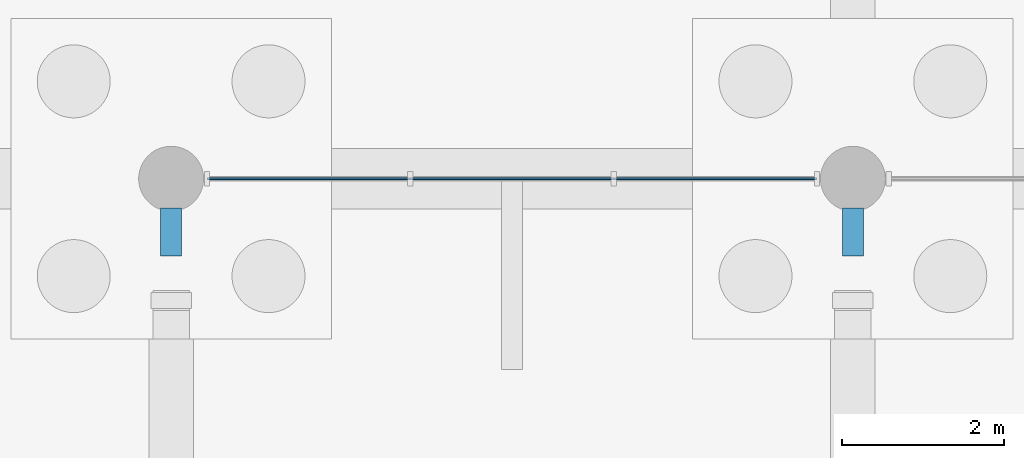
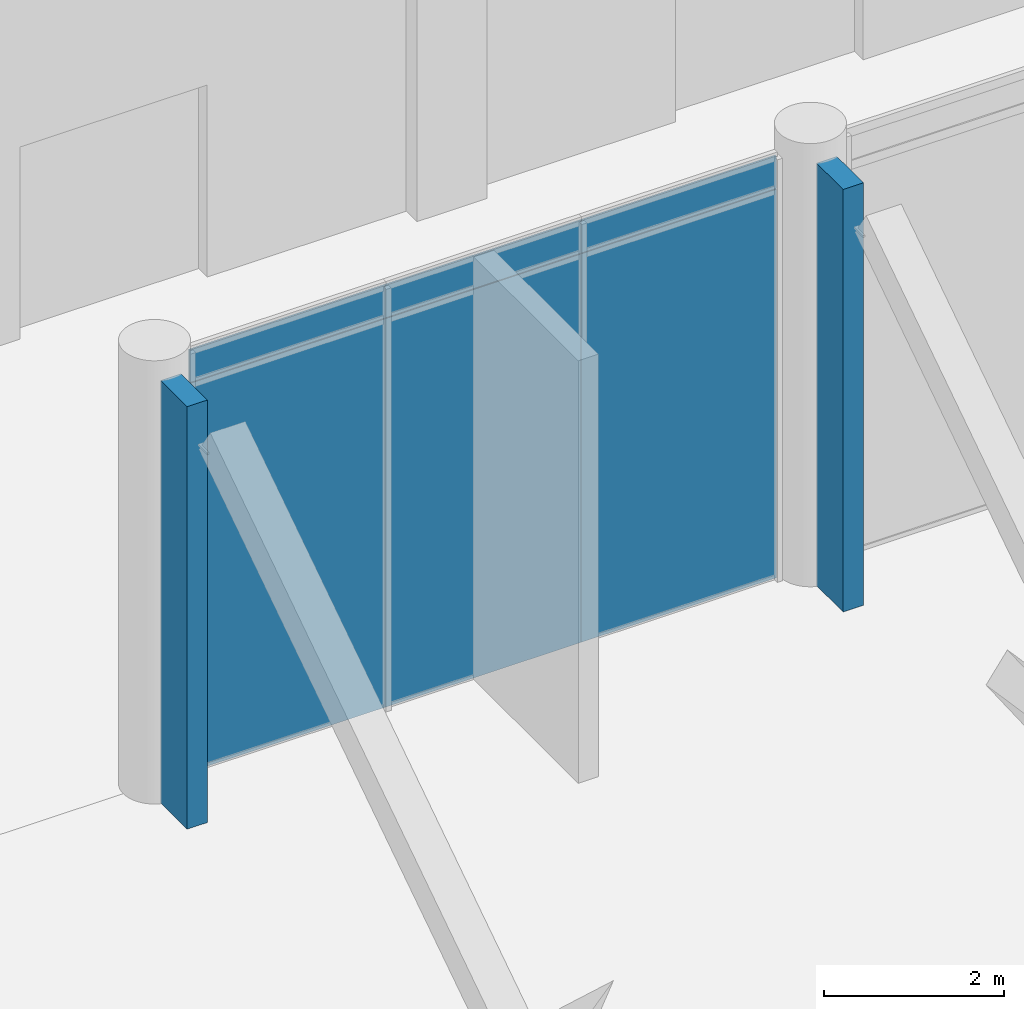
# One storey, part 40 of 72: 8 plates, 1 element without a shape of its own.
"""IFC4 building model written with IfcOpenShell, lengths in metres."""

from ifc_helpers import new_model, si_unit, direction, frame, frame_2d, origin, place, context, subcontext, project, spatial, rectangle, extrude, material, layer, layer_set, type_object, element, aggregate, save


model = new_model("IFC4")

# Units and contexts
model_context = context("Model", 3, precision=1e-05, world=origin(), true_north=direction((0.0, 1.0)))
body_context = subcontext(model_context, "Body", "Model", "MODEL_VIEW")
ifc_project = project(units=[si_unit("LENGTHUNIT", "METRE"), si_unit("AREAUNIT", "SQUARE_METRE"), si_unit("VOLUMEUNIT", "CUBIC_METRE"), si_unit("PLANEANGLEUNIT", "RADIAN"), si_unit("MASSUNIT", "GRAM", prefix="KILO")], contexts=[model_context])

# Site, building, storey
site_placement = place(None, origin())
site = spatial("IfcSite", under=ifc_project, at=site_placement, CompositionType="ELEMENT")
building_placement = place(site_placement, origin())
building = spatial("IfcBuilding", under=site, at=building_placement, Name="Qawsi Khor Wholesale Market", CompositionType="ELEMENT")
storey_placement = place(building_placement, origin())
storey = spatial("IfcBuildingStorey", under=building, at=storey_placement, Name="L00", CompositionType="ELEMENT", Elevation=0.0)

# Plates
ifc_material_1 = material(Name="Concrete C40/50", Category="concrete")
ifc_layer_1 = layer(ifc_material_1, 0.260009765625, Name="Concrete C40/50")
ifc_layer_set_1 = layer_set([ifc_layer_1], Name="Concrete C40/50")
plate_type_1 = type_object("IfcPlateType", Name="Sculpted Concrete Solar Buttress Fin 260", PredefinedType="SHEET", material=ifc_layer_set_1)
for number, where, z_axis, x_axis, name in (
    (1, (100.800048828125, -0.949951171875, 0.0), (0.0, 0.0, 1.0), (0.0, 1.0, 0.0), "Boulevard concrete solar buttress fin L00-18"),
    (2, (109.199951171875, -0.949951171875, 0.0), (0.0, 0.0, 1.0), (0.0, 1.0, 0.0), "Boulevard concrete solar buttress fin L00-20"),
):
    element("IfcPlate", number, at=place(storey_placement, frame(where, z_axis=z_axis, x_axis=x_axis)), inside=storey, type_object=plate_type_1, Name=name, PredefinedType="SHEET", context=body_context, shape_type="SweptSolid", body=[
        extrude(rectangle(XDim=0.58984375, YDim=0.260009765625, at=frame_2d((0.294921875, 0.0))), origin(), (0.0, 0.0, 1.0), 5.719970703125),
    ])

# Curtain wall, plates
ifc_material_2 = material(Name="Aluminium Anodised Bronze", Category="aluminium")
ifc_layer_2 = layer(ifc_material_2, 0.159912109375, Name="Aluminium Anodised Bronze")
ifc_layer_set_2 = layer_set([ifc_layer_2], Name="Aluminium Anodised Bronze")
curtain_wall_type = type_object("IfcCurtainWallType", Name="Boulevard Arcade Glazed Curtain Wall CW-01", PredefinedType="NOTDEFINED", material=ifc_layer_set_2)
curtain_wall_placement = place(storey_placement, origin())
curtain_wall = element("IfcCurtainWall", 3, at=curtain_wall_placement, inside=storey, type_object=curtain_wall_type, Name="Curtain wall CW-CW-01-L00-160", PredefinedType="NOTDEFINED")
ifc_material_3 = material(Name="Tempered Low-E Solar Glass", Category="glass")
ifc_layer_3 = layer(ifc_material_3, 0.02392578125, Name="Tempered Low-E Solar Glass")
ifc_layer_set_3 = layer_set([ifc_layer_3], Name="Tempered Low-E Solar Glass")
plate_type_2 = type_object("IfcPlateType", Name="Solar Double-Glazed Unit CW-01 24mm", PredefinedType="CURTAIN_PANEL", material=ifc_layer_set_3)
plate_1_placement = place(storey_placement, frame((101.242431640625, 0.0, 0.0048828125), z_axis=(0.0, 0.0, 1.0), x_axis=(1.0, 0.0, 0.0)))
plate_1 = element("IfcPlate", 4, at=plate_1_placement, type_object=plate_type_2, Name="Curtain panel CW-CW-01-L00-160-P0_00", PredefinedType="CURTAIN_PANEL", context=body_context, shape_type="SweptSolid", body=[
    extrude(rectangle(XDim=2.505126953125, YDim=0.02392578125, at=frame_2d((1.25244140625, 0.0))), origin(), (0.0, 0.0, 1.0), 5.260009765625),
])
plate_2_placement = place(storey_placement, frame((103.74755859375, 0.0, 0.0048828125), z_axis=(0.0, 0.0, 1.0), x_axis=(1.0, 0.0, 0.0)))
plate_2 = element("IfcPlate", 5, at=plate_2_placement, type_object=plate_type_2, Name="Curtain panel CW-CW-01-L00-160-P0_01", PredefinedType="CURTAIN_PANEL", context=body_context, shape_type="SweptSolid", body=[
    extrude(rectangle(XDim=2.5048828125, YDim=0.02392578125, at=frame_2d((1.25244140625, 0.0))), origin(), (0.0, 0.0, 1.0), 5.260009765625),
])
plate_3_placement = place(storey_placement, frame((106.25244140625, 0.0, 0.0048828125), z_axis=(0.0, 0.0, 1.0), x_axis=(1.0, 0.0, 0.0)))
plate_3 = element("IfcPlate", 6, at=plate_3_placement, type_object=plate_type_2, Name="Curtain panel CW-CW-01-L00-160-P0_02", PredefinedType="CURTAIN_PANEL", context=body_context, shape_type="SweptSolid", body=[
    extrude(rectangle(XDim=2.505126953125, YDim=0.02392578125, at=frame_2d((1.25244140625, 0.0))), origin(), (0.0, 0.0, 1.0), 5.260009765625),
])
plate_4_placement = place(storey_placement, frame((101.242431640625, 0.0, 5.27490234375), z_axis=(0.0, 0.0, 1.0), x_axis=(1.0, 0.0, 0.0)))
plate_4 = element("IfcPlate", 7, at=plate_4_placement, type_object=plate_type_2, Name="Curtain panel CW-CW-01-L00-160-P1_00", PredefinedType="CURTAIN_PANEL", context=body_context, shape_type="SweptSolid", body=[
    extrude(rectangle(XDim=2.505126953125, YDim=0.02392578125, at=frame_2d((1.25244140625, 0.0))), origin(), (0.0, 0.0, 1.0), 0.440185546875),
])
plate_5_placement = place(storey_placement, frame((103.74755859375, 0.0, 5.27490234375), z_axis=(0.0, 0.0, 1.0), x_axis=(1.0, 0.0, 0.0)))
plate_5 = element("IfcPlate", 8, at=plate_5_placement, type_object=plate_type_2, Name="Curtain panel CW-CW-01-L00-160-P1_01", PredefinedType="CURTAIN_PANEL", context=body_context, shape_type="SweptSolid", body=[
    extrude(rectangle(XDim=2.5048828125, YDim=0.02392578125, at=frame_2d((1.25244140625, 0.0))), origin(), (0.0, 0.0, 1.0), 0.440185546875),
])
plate_6_placement = place(storey_placement, frame((106.25244140625, 0.0, 5.27490234375), z_axis=(0.0, 0.0, 1.0), x_axis=(1.0, 0.0, 0.0)))
plate_6 = element("IfcPlate", 9, at=plate_6_placement, type_object=plate_type_2, Name="Curtain panel CW-CW-01-L00-160-P1_02", PredefinedType="CURTAIN_PANEL", context=body_context, shape_type="SweptSolid", body=[
    extrude(rectangle(XDim=2.505126953125, YDim=0.02392578125, at=frame_2d((1.25244140625, 0.0))), origin(), (0.0, 0.0, 1.0), 0.440185546875),
])
aggregate(curtain_wall, [plate_1, plate_2, plate_3, plate_4, plate_5, plate_6])

save(model, "model.ifc")
